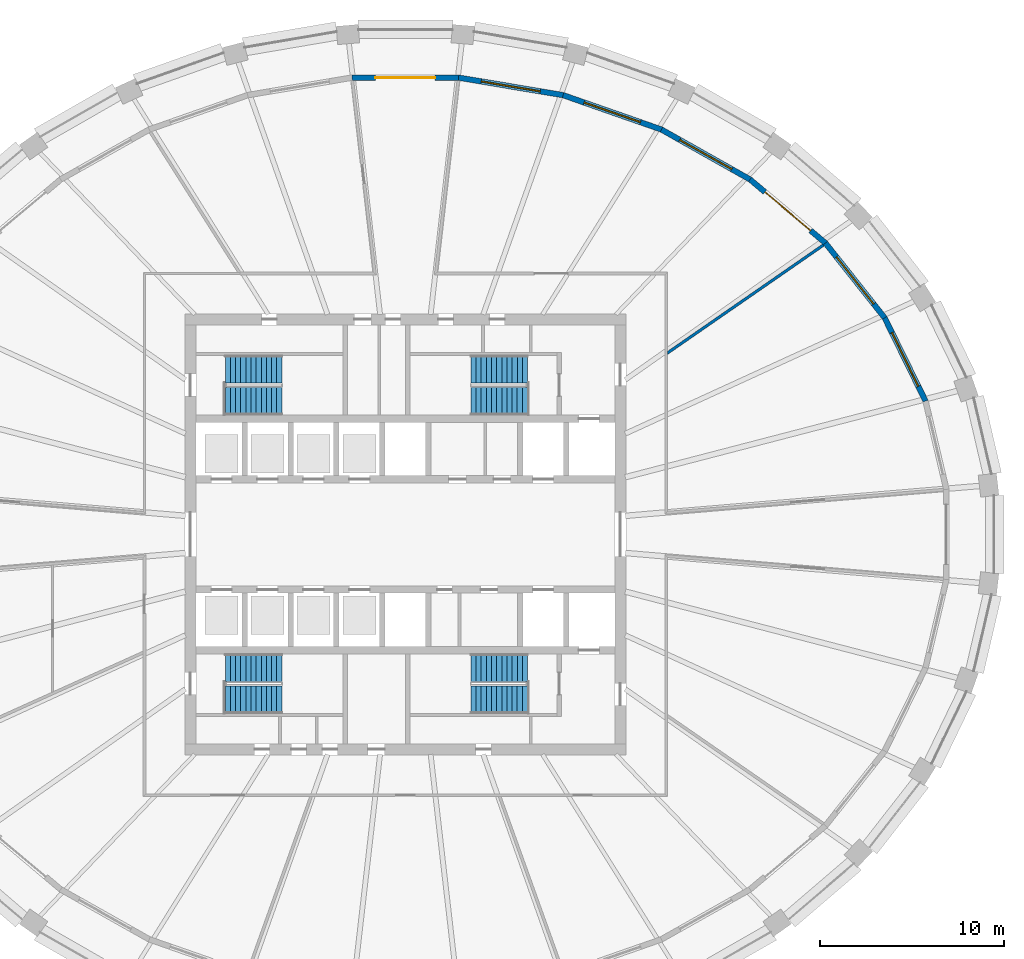
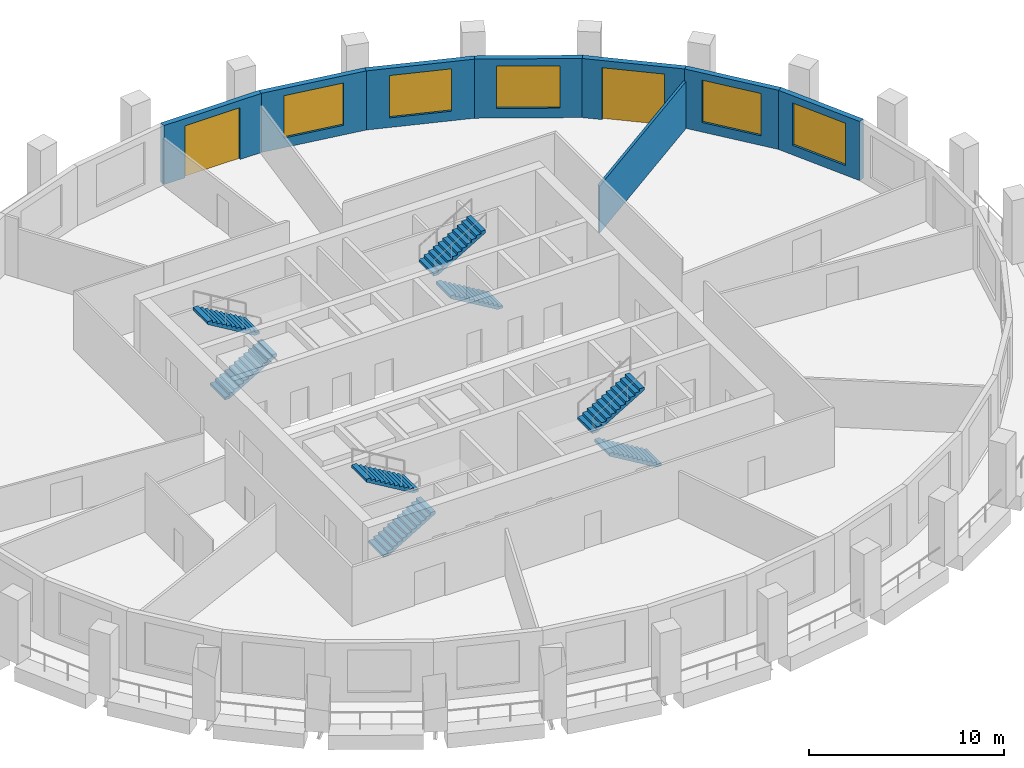
# One storey, part 7 of 10: 8 stair flights, 8 walls, 5 windows, 2 doors, 7 openings, 4 elements without a shape of their own.
"""IFC4 building model written with IfcOpenShell, lengths in metres."""

from ifc_helpers import new_model, si_unit, direction, frame, frame_2d, origin, place, context, subcontext, project, spatial, polyline, rectangle, outline, extrude, material, layer, layer_set, type_object, element, fill, aggregate, save


model = new_model("IFC4")

# Units and contexts
model_context = context("Model", 3, precision=1e-05, world=origin(), true_north=direction((0.0, 1.0)))
body_context = subcontext(model_context, "Body", "Model", "MODEL_VIEW")
ifc_project = project(units=[si_unit("LENGTHUNIT", "METRE"), si_unit("AREAUNIT", "SQUARE_METRE"), si_unit("VOLUMEUNIT", "CUBIC_METRE"), si_unit("PLANEANGLEUNIT", "RADIAN"), si_unit("MASSUNIT", "GRAM", prefix="KILO")], contexts=[model_context])

# Site, building, storey
site_placement = place(None, origin())
site = spatial("IfcSite", under=ifc_project, at=site_placement, CompositionType="ELEMENT")
building_placement = place(site_placement, origin())
building = spatial("IfcBuilding", under=site, at=building_placement, Name="Halqa Exchange Tower", CompositionType="ELEMENT")
storey_placement = place(building_placement, frame((0.0, 0.0, 210.89990234375)))
storey = spatial("IfcBuildingStorey", under=building, at=storey_placement, Name="L48", CompositionType="ELEMENT", Elevation=210.89990234375)

# Wall
ifc_material_1 = material(Name="Fire-rated gypsum board")
ifc_layer_1 = layer(ifc_material_1, 0.14990234375)
ifc_layer_set_1 = layer_set([ifc_layer_1], Name="Fire-rated gypsum board")
wall_type_1 = type_object("IfcWallType", Name="Fire partition EI 60 150", PredefinedType="PARTITIONING", material=ifc_layer_set_1)
wall_1_placement = place(storey_placement, frame((14.232421875, 9.8525390625, 0.0), z_axis=(0.0, 0.0, 1.0), x_axis=(0.822298116352, 0.569056946047, 0.0)))
element("IfcWall", 1, at=wall_1_placement, inside=storey, type_object=wall_type_1, Name="L48-PWL-020", PredefinedType="PARTITIONING", context=body_context, shape_type="SweptSolid", body=[
    extrude(outline(polyline([(10.370361328125, -0.074951171875), (10.370361328125, -0.070068359375), (10.36572265625, 0.001953125), (10.345947265625, 0.074951171875), (8.638916015625, 0.074951171875), (6.931884765625, 0.074951171875), (5.224853515625, 0.074951171875), (3.517822265625, 0.074951171875), (1.810791015625, 0.074951171875), (0.103759765625, 0.074951171875), (0.0, -0.07470703125), (0.0, -0.074951171875), (1.728515625, -0.074951171875), (3.456787109375, -0.074951171875), (5.18505859375, -0.074951171875), (6.91357421875, -0.074951171875), (8.64208984375, -0.074951171875), (10.370361328125, -0.074951171875)])), origin(), (0.0, 0.0, 1.0), 2.947021484375),
])

# Wall, opening, window
ifc_material_2 = material(Name="Limestone cladding", Category="masonry")
ifc_layer_2 = layer(ifc_material_2, 0.0400390625)
ifc_material_3 = material(Name="Ventilated cavity")
ifc_layer_3 = layer(ifc_material_3, 0.030029296875, ventilated=True)
ifc_material_4 = material(Name="Mineral wool insulation")
ifc_layer_4 = layer(ifc_material_4, 0.10009765625)
ifc_material_5 = material(Name="Concrete C30/37", Category="concrete")
ifc_layer_5 = layer(ifc_material_5, 0.10009765625)
ifc_material_6 = material(Name="Internal plaster")
ifc_layer_6 = layer(ifc_material_6, 0.030029296875)
ifc_layer_set_2 = layer_set([ifc_layer_2, ifc_layer_3, ifc_layer_4, ifc_layer_5, ifc_layer_6], Name="Stone-faced insulated wall 300")
wall_type_2 = type_object("IfcWallType", Name="Stone-faced insulated wall 300", PredefinedType="STANDARD", material=ifc_layer_set_2)
wall_2_placement = place(storey_placement, frame((28.311279296875, 7.259033203125, 0.0), z_axis=(0.0, 0.0, 1.0), x_axis=(-0.440773193145, 0.89761851151, 0.0)))
wall_2 = element("IfcWall", 2, at=wall_2_placement, inside=storey, type_object=wall_type_2, Name="Glass-line wall 2", PredefinedType="STANDARD", context=body_context, shape_type="SweptSolid", body=[
    extrude(outline(polyline([(-0.016845703125, -0.14990234375), (5.059326171875, -0.14990234375), (5.027099609375, 0.14990234375), (0.016845703125, 0.14990234375), (-0.016845703125, -0.14990234375)])), origin(), (0.0, 0.0, 1.0), 3.7001953125),
])
opening_1_placement = place(wall_2_placement, frame((0.896484375, 0.0, 0.60009765625)))
opening_1 = element("IfcOpeningElement", 3, at=opening_1_placement, cuts=wall_2, Name="Opening W-F3-02", PredefinedType="OPENING", context=body_context, shape_type="SweptSolid", body=[
    extrude(rectangle(XDim=3.25, YDim=2.64990234375, at=frame_2d((1.625, 1.324951171875))), frame((0.0, 0.162109375, 0.0), z_axis=(0.0, -1.0, 0.0), x_axis=(1.0, 0.0, 0.0)), (0.0, 0.0, 1.0), 0.323974609375),
])
ifc_material_7 = material(Name="Clear low-emissivity glass in aluminium frame", Category="aluminium")
window_type = type_object("IfcWindowType", Name="Fixed clear glazed window 3250 x 2650", PartitioningType="TRIPLE_PANEL_VERTICAL", PredefinedType="WINDOW", material=ifc_material_7)
window_1_placement = place(opening_1_placement, origin())
window_1 = element("IfcWindow", 4, at=window_1_placement, inside=storey, type_object=window_type, Name="Window 3", OverallHeight=2.64990234375, OverallWidth=3.25, PartitioningType="TRIPLE_PANEL_VERTICAL", PredefinedType="WINDOW", context=body_context, shape_type="SweptSolid", body=[
    extrude(rectangle(XDim=3.25, YDim=2.64990234375, at=frame_2d((1.625, 1.324951171875))), frame((0.0, 0.030029296875, 0.0), z_axis=(0.0, -1.0, 0.0), x_axis=(1.0, 0.0, 0.0)), (0.0, 0.0, 1.0), 0.06005859375),
])
fill(opening_1, window_1)

wall_3_placement = place(storey_placement, frame((26.08837890625, 11.785888671875, 0.0), z_axis=(0.0, 0.0, 1.0), x_axis=(-0.620870264345, 0.783913333763, 0.0)))
wall_3 = element("IfcWall", 5, at=wall_3_placement, inside=storey, type_object=wall_type_2, Name="Glass-line wall 3", PredefinedType="STANDARD", context=body_context, shape_type="SweptSolid", body=[
    extrude(outline(polyline([(-0.01611328125, -0.14990234375), (5.209716796875, -0.14990234375), (5.179443359375, 0.14990234375), (0.01611328125, 0.14990234375), (-0.01611328125, -0.14990234375)])), origin(), (0.0, 0.0, 1.0), 3.7001953125),
])
opening_2_placement = place(wall_3_placement, frame((0.97216796875, 0.0, 0.60009765625)))
opening_2 = element("IfcOpeningElement", 6, at=opening_2_placement, cuts=wall_3, Name="Opening W-F3-03", PredefinedType="OPENING", context=body_context, shape_type="SweptSolid", body=[
    extrude(rectangle(XDim=3.25, YDim=2.64990234375, at=frame_2d((1.625, 1.324951171875))), frame((0.0, 0.162109375, 0.0), z_axis=(0.0, -1.0, 0.0), x_axis=(1.0, 0.0, 0.0)), (0.0, 0.0, 1.0), 0.323974609375),
])
window_2_placement = place(opening_2_placement, origin())
window_2 = element("IfcWindow", 7, at=window_2_placement, inside=storey, type_object=window_type, Name="Window 3", OverallHeight=2.64990234375, OverallWidth=3.25, PartitioningType="TRIPLE_PANEL_VERTICAL", PredefinedType="WINDOW", context=body_context, shape_type="SweptSolid", body=[
    extrude(rectangle(XDim=3.25, YDim=2.64990234375, at=frame_2d((1.625, 1.324951171875))), frame((0.0, 0.030029296875, 0.0), z_axis=(0.0, -1.0, 0.0), x_axis=(1.0, 0.0, 0.0)), (0.0, 0.0, 1.0), 0.06005859375),
])
fill(opening_2, window_2)

# Wall, opening, door
wall_4_placement = place(storey_placement, frame((22.86328125, 15.85791015625, 0.0), z_axis=(0.0, 0.0, 1.0), x_axis=(-0.764386053229, 0.6447588399, 0.0)))
wall_4 = element("IfcWall", 8, at=wall_4_placement, inside=storey, type_object=wall_type_2, Name="Glass-line wall 4", PredefinedType="STANDARD", context=body_context, shape_type="SweptSolid", body=[
    extrude(outline(polyline([(-0.01513671875, -0.14990234375), (5.381591796875, -0.14990234375), (5.353271484375, 0.14990234375), (0.01513671875, 0.14990234375), (-0.01513671875, -0.14990234375)])), origin(), (0.0, 0.0, 1.0), 3.7001953125),
])
opening_3_placement = place(wall_4_placement, frame((1.058837890625, 0.0, 0.0)))
opening_3 = element("IfcOpeningElement", 9, at=opening_3_placement, cuts=wall_4, Name="Opening LG-F3-01", PredefinedType="OPENING", context=body_context, shape_type="SweptSolid", body=[
    extrude(rectangle(XDim=3.25, YDim=3.25, at=frame_2d((1.625, 1.625))), frame((0.0, 0.162109375, 0.0), z_axis=(0.0, -1.0, 0.0), x_axis=(1.0, 0.0, 0.0)), (0.0, 0.0, 1.0), 0.323974609375),
])
door_type = type_object("IfcDoorType", Name="Glazed sliding loggia door 3250 x 3250", OperationType="DOUBLE_DOOR_SLIDING", PredefinedType="DOOR", material=ifc_material_7)
door_1_placement = place(opening_3_placement, origin())
door_1 = element("IfcDoor", 10, at=door_1_placement, inside=storey, type_object=door_type, Name="Loggia door 1", OperationType="DOUBLE_DOOR_SLIDING", OverallHeight=3.25, OverallWidth=3.25, PredefinedType="DOOR", context=body_context, shape_type="SweptSolid", body=[
    extrude(rectangle(XDim=3.25, YDim=3.25, at=frame_2d((1.625, 1.625))), frame((0.0, 0.02490234375, 0.0), z_axis=(0.0, -1.0, 0.0), x_axis=(1.0, 0.0, 0.0)), (0.0, 0.0, 1.0), 0.050048828125),
])
fill(opening_3, door_1)

# Wall, opening, window
wall_5_placement = place(storey_placement, frame((18.760498046875, 19.318603515625, 0.0), z_axis=(0.0, 0.0, 1.0), x_axis=(-0.871140546168, 0.491033755278, 0.0)))
wall_5 = element("IfcWall", 11, at=wall_5_placement, inside=storey, type_object=wall_type_2, Name="Glass-line wall 5", PredefinedType="STANDARD", context=body_context, shape_type="SweptSolid", body=[
    extrude(outline(polyline([(-0.01416015625, -0.14990234375), (5.548828125, -0.14990234375), (5.52197265625, 0.14990234375), (0.01416015625, 0.14990234375), (-0.01416015625, -0.14990234375)])), origin(), (0.0, 0.0, 1.0), 3.7001953125),
])
opening_4_placement = place(wall_5_placement, frame((1.142578125, 0.0, 0.60009765625)))
opening_4 = element("IfcOpeningElement", 12, at=opening_4_placement, cuts=wall_5, Name="Opening W-F3-05", PredefinedType="OPENING", context=body_context, shape_type="SweptSolid", body=[
    extrude(rectangle(XDim=3.25, YDim=2.64990234375, at=frame_2d((1.625, 1.324951171875))), frame((0.0, 0.162109375, 0.0), z_axis=(0.0, -1.0, 0.0), x_axis=(1.0, 0.0, 0.0)), (0.0, 0.0, 1.0), 0.323974609375),
])
window_3_placement = place(opening_4_placement, origin())
window_3 = element("IfcWindow", 13, at=window_3_placement, inside=storey, type_object=window_type, Name="Window 3", OverallHeight=2.64990234375, OverallWidth=3.25, PartitioningType="TRIPLE_PANEL_VERTICAL", PredefinedType="WINDOW", context=body_context, shape_type="SweptSolid", body=[
    extrude(rectangle(XDim=3.25, YDim=2.64990234375, at=frame_2d((1.625, 1.324951171875))), frame((0.0, 0.030029296875, 0.0), z_axis=(0.0, -1.0, 0.0), x_axis=(1.0, 0.0, 0.0)), (0.0, 0.0, 1.0), 0.06005859375),
])
fill(opening_4, window_3)

wall_6_placement = place(storey_placement, frame((13.9384765625, 22.03662109375, 0.0), z_axis=(0.0, 0.0, 1.0), x_axis=(-0.944023272224, 0.329878858824, 0.0)))
wall_6 = element("IfcWall", 14, at=wall_6_placement, inside=storey, type_object=wall_type_2, Name="Glass-line wall 6", PredefinedType="STANDARD", context=body_context, shape_type="SweptSolid", body=[
    extrude(outline(polyline([(-0.013427734375, -0.14990234375), (5.686279296875, -0.14990234375), (5.660888671875, 0.14990234375), (0.013427734375, 0.14990234375), (-0.013427734375, -0.14990234375)])), origin(), (0.0, 0.0, 1.0), 3.7001953125),
])
opening_5_placement = place(wall_6_placement, frame((1.2119140625, 0.0, 0.60009765625)))
opening_5 = element("IfcOpeningElement", 15, at=opening_5_placement, cuts=wall_6, Name="Opening W-F3-06", PredefinedType="OPENING", context=body_context, shape_type="SweptSolid", body=[
    extrude(rectangle(XDim=3.25, YDim=2.64990234375, at=frame_2d((1.625, 1.324951171875))), frame((0.0, 0.162109375, 0.0), z_axis=(0.0, -1.0, 0.0), x_axis=(1.0, 0.0, 0.0)), (0.0, 0.0, 1.0), 0.323974609375),
])
window_4_placement = place(opening_5_placement, origin())
window_4 = element("IfcWindow", 16, at=window_4_placement, inside=storey, type_object=window_type, Name="Window 3", OverallHeight=2.64990234375, OverallWidth=3.25, PartitioningType="TRIPLE_PANEL_VERTICAL", PredefinedType="WINDOW", context=body_context, shape_type="SweptSolid", body=[
    extrude(rectangle(XDim=3.25, YDim=2.64990234375, at=frame_2d((1.625, 1.324951171875))), frame((0.0, 0.030029296875, 0.0), z_axis=(0.0, -1.0, 0.0), x_axis=(1.0, 0.0, 0.0)), (0.0, 0.0, 1.0), 0.06005859375),
])
fill(opening_5, window_4)

wall_7_placement = place(storey_placement, frame((8.58251953125, 23.908203125, 0.0), z_axis=(0.0, 0.0, 1.0), x_axis=(-0.98622052717, 0.165436005116, 0.0)))
wall_7 = element("IfcWall", 17, at=wall_7_placement, inside=storey, type_object=wall_type_2, Name="Glass-line wall 7", PredefinedType="STANDARD", context=body_context, shape_type="SweptSolid", body=[
    extrude(outline(polyline([(-0.0126953125, -0.14990234375), (5.776611328125, -0.14990234375), (5.751708984375, 0.14990234375), (0.0126953125, 0.14990234375), (-0.0126953125, -0.14990234375)])), origin(), (0.0, 0.0, 1.0), 3.7001953125),
])
opening_6_placement = place(wall_7_placement, frame((1.257080078125, 0.0, 0.60009765625)))
opening_6 = element("IfcOpeningElement", 18, at=opening_6_placement, cuts=wall_7, Name="Opening W-F3-07", PredefinedType="OPENING", context=body_context, shape_type="SweptSolid", body=[
    extrude(rectangle(XDim=3.25, YDim=2.64990234375, at=frame_2d((1.625, 1.324951171875))), frame((0.0, 0.162109375, 0.0), z_axis=(0.0, -1.0, 0.0), x_axis=(1.0, 0.0, 0.0)), (0.0, 0.0, 1.0), 0.323974609375),
])
window_5_placement = place(opening_6_placement, origin())
window_5 = element("IfcWindow", 19, at=window_5_placement, inside=storey, type_object=window_type, Name="Window 3", OverallHeight=2.64990234375, OverallWidth=3.25, PartitioningType="TRIPLE_PANEL_VERTICAL", PredefinedType="WINDOW", context=body_context, shape_type="SweptSolid", body=[
    extrude(rectangle(XDim=3.25, YDim=2.64990234375, at=frame_2d((1.625, 1.324951171875))), frame((0.0, 0.030029296875, 0.0), z_axis=(0.0, -1.0, 0.0), x_axis=(1.0, 0.0, 0.0)), (0.0, 0.0, 1.0), 0.06005859375),
])
fill(opening_6, window_5)

# Wall, opening, door
wall_8_placement = place(storey_placement, frame((2.897705078125, 24.86181640625, 0.0), z_axis=(0.0, 0.0, 1.0), x_axis=(-1.0, 0.0, 0.0)))
wall_8 = element("IfcWall", 20, at=wall_8_placement, inside=storey, type_object=wall_type_2, Name="Glass-line wall 8", PredefinedType="STANDARD", context=body_context, shape_type="SweptSolid", body=[
    extrude(outline(polyline([(-0.012451171875, -0.14990234375), (5.807861328125, -0.14990234375), (5.782958984375, 0.14990234375), (0.012451171875, 0.14990234375), (-0.012451171875, -0.14990234375)])), origin(), (0.0, 0.0, 1.0), 3.7001953125),
])
opening_7_placement = place(wall_8_placement, frame((1.272705078125, 0.0, 0.0)))
opening_7 = element("IfcOpeningElement", 21, at=opening_7_placement, cuts=wall_8, Name="Opening LG-F3-02", PredefinedType="OPENING", context=body_context, shape_type="SweptSolid", body=[
    extrude(rectangle(XDim=3.25, YDim=3.25, at=frame_2d((1.625, 1.625))), frame((0.0, 0.162109375, 0.0), z_axis=(0.0, -1.0, 0.0), x_axis=(1.0, 0.0, 0.0)), (0.0, 0.0, 1.0), 0.323974609375),
])
door_2_placement = place(opening_7_placement, origin())
door_2 = element("IfcDoor", 22, at=door_2_placement, inside=storey, type_object=door_type, Name="Loggia door 2", OperationType="DOUBLE_DOOR_SLIDING", OverallHeight=3.25, OverallWidth=3.25, PredefinedType="DOOR", context=body_context, shape_type="SweptSolid", body=[
    extrude(rectangle(XDim=3.25, YDim=3.25, at=frame_2d((1.625, 1.625))), frame((0.0, 0.02490234375, 0.0), z_axis=(0.0, -1.0, 0.0), x_axis=(1.0, 0.0, 0.0)), (0.0, 0.0, 1.0), 0.050048828125),
])
fill(opening_7, door_2)

# Stair, stair flights
stair_type = type_object("IfcStairType", Name="Exit stair 1500 wide", PredefinedType="HALF_TURN_STAIR", material=ifc_material_5)
stair_1_placement = place(storey_placement, origin())
stair_1 = element("IfcStair", 23, at=stair_1_placement, inside=storey, type_object=stair_type, Name="Exit stair ST1", PredefinedType="HALF_TURN_STAIR")
stair_flight_type = type_object("IfcStairFlightType", Name="Stair flight 1500 wide", PredefinedType="STRAIGHT", material=ifc_material_5)
stair_flight_1_placement = place(storey_placement, frame((-9.800048828125, 7.25, 0.0), z_axis=(0.0, 0.0, 1.0), x_axis=(1.0, 0.0, 0.0)))
stair_flight_1 = element("IfcStairFlight", 24, at=stair_flight_1_placement, type_object=stair_flight_type, Name="ST1 flight 1", NumberOfRisers=12, NumberOfTreads=11, PredefinedType="STRAIGHT", RiserHeight=0.166666667, TreadLength=0.28, context=body_context, shape_type="SweptSolid", body=[
    extrude(outline(polyline([(0.0, 0.0), (0.0, 0.166748046875), (0.280029296875, 0.166748046875), (0.280029296875, 0.333251953125), (0.56005859375, 0.333251953125), (0.56005859375, 0.5), (0.840087890625, 0.5), (0.840087890625, 0.666748046875), (1.1201171875, 0.666748046875), (1.1201171875, 0.833251953125), (1.39990234375, 0.833251953125), (1.39990234375, 1.0), (1.679931640625, 1.0), (1.679931640625, 1.166748046875), (1.9599609375, 1.166748046875), (1.9599609375, 1.333251953125), (2.239990234375, 1.333251953125), (2.239990234375, 1.5), (2.52001953125, 1.5), (2.52001953125, 1.666748046875), (2.800048828125, 1.666748046875), (2.800048828125, 1.833251953125), (3.080078125, 1.833251953125), (3.080078125, 2.0), (3.080078125, 1.658935546875), (0.29296875, 0.0), (0.0, 0.0)])), frame((0.0, 0.75, 0.0), z_axis=(0.0, -1.0, 0.0), x_axis=(1.0, 0.0, 0.0)), (0.0, 0.0, 1.0), 1.5),
])
stair_flight_2_placement = place(storey_placement, frame((-6.719970703125, 9.0, 2.0), z_axis=(0.0, 0.0, 1.0), x_axis=(-1.0, 0.0, 0.0)))
stair_flight_2 = element("IfcStairFlight", 25, at=stair_flight_2_placement, type_object=stair_flight_type, Name="ST1 flight 2", NumberOfRisers=12, NumberOfTreads=11, PredefinedType="STRAIGHT", RiserHeight=0.166666667, TreadLength=0.28, context=body_context, shape_type="SweptSolid", body=[
    extrude(outline(polyline([(0.0, 0.0), (0.0, 0.166748046875), (0.280029296875, 0.166748046875), (0.280029296875, 0.333251953125), (0.56005859375, 0.333251953125), (0.56005859375, 0.5), (0.840087890625, 0.5), (0.840087890625, 0.666748046875), (1.1201171875, 0.666748046875), (1.1201171875, 0.833251953125), (1.39990234375, 0.833251953125), (1.39990234375, 1.0), (1.679931640625, 1.0), (1.679931640625, 1.166748046875), (1.9599609375, 1.166748046875), (1.9599609375, 1.333251953125), (2.239990234375, 1.333251953125), (2.239990234375, 1.5), (2.52001953125, 1.5), (2.52001953125, 1.666748046875), (2.800048828125, 1.666748046875), (2.800048828125, 1.833251953125), (3.080078125, 1.833251953125), (3.080078125, 2.0), (3.080078125, 1.658935546875), (0.29296875, 0.0), (0.0, 0.0)])), frame((0.0, 0.75, 0.0), z_axis=(0.0, -1.0, 0.0), x_axis=(1.0, 0.0, 0.0)), (0.0, 0.0, 1.0), 1.5),
])
aggregate(stair_1, [stair_flight_1, stair_flight_2])

stair_2_placement = place(storey_placement, origin())
stair_2 = element("IfcStair", 26, at=stair_2_placement, inside=storey, type_object=stair_type, Name="Exit stair ST2", PredefinedType="HALF_TURN_STAIR")
stair_flight_3_placement = place(storey_placement, frame((6.64990234375, 7.25, 0.0), z_axis=(0.0, 0.0, 1.0), x_axis=(-1.0, 0.0, 0.0)))
stair_flight_3 = element("IfcStairFlight", 27, at=stair_flight_3_placement, type_object=stair_flight_type, Name="ST2 flight 1", NumberOfRisers=12, NumberOfTreads=11, PredefinedType="STRAIGHT", RiserHeight=0.166666667, TreadLength=0.28, context=body_context, shape_type="SweptSolid", body=[
    extrude(outline(polyline([(0.0, 0.0), (0.0, 0.166748046875), (0.280029296875, 0.166748046875), (0.280029296875, 0.333251953125), (0.56005859375, 0.333251953125), (0.56005859375, 0.5), (0.840087890625, 0.5), (0.840087890625, 0.666748046875), (1.1201171875, 0.666748046875), (1.1201171875, 0.833251953125), (1.39990234375, 0.833251953125), (1.39990234375, 1.0), (1.679931640625, 1.0), (1.679931640625, 1.166748046875), (1.9599609375, 1.166748046875), (1.9599609375, 1.333251953125), (2.239990234375, 1.333251953125), (2.239990234375, 1.5), (2.52001953125, 1.5), (2.52001953125, 1.666748046875), (2.800048828125, 1.666748046875), (2.800048828125, 1.833251953125), (3.080078125, 1.833251953125), (3.080078125, 2.0), (3.080078125, 1.658935546875), (0.29296875, 0.0), (0.0, 0.0)])), frame((0.0, 0.75, 0.0), z_axis=(0.0, -1.0, 0.0), x_axis=(1.0, 0.0, 0.0)), (0.0, 0.0, 1.0), 1.5),
])
stair_flight_4_placement = place(storey_placement, frame((3.570068359375, 9.0, 2.0), z_axis=(0.0, 0.0, 1.0), x_axis=(1.0, 0.0, 0.0)))
stair_flight_4 = element("IfcStairFlight", 28, at=stair_flight_4_placement, type_object=stair_flight_type, Name="ST2 flight 2", NumberOfRisers=12, NumberOfTreads=11, PredefinedType="STRAIGHT", RiserHeight=0.166666667, TreadLength=0.28, context=body_context, shape_type="SweptSolid", body=[
    extrude(outline(polyline([(0.0, 0.0), (0.0, 0.166748046875), (0.280029296875, 0.166748046875), (0.280029296875, 0.333251953125), (0.56005859375, 0.333251953125), (0.56005859375, 0.5), (0.840087890625, 0.5), (0.840087890625, 0.666748046875), (1.1201171875, 0.666748046875), (1.1201171875, 0.833251953125), (1.39990234375, 0.833251953125), (1.39990234375, 1.0), (1.679931640625, 1.0), (1.679931640625, 1.166748046875), (1.9599609375, 1.166748046875), (1.9599609375, 1.333251953125), (2.239990234375, 1.333251953125), (2.239990234375, 1.5), (2.52001953125, 1.5), (2.52001953125, 1.666748046875), (2.800048828125, 1.666748046875), (2.800048828125, 1.833251953125), (3.080078125, 1.833251953125), (3.080078125, 2.0), (3.080078125, 1.658935546875), (0.29296875, 0.0), (0.0, 0.0)])), frame((0.0, 0.75, 0.0), z_axis=(0.0, -1.0, 0.0), x_axis=(1.0, 0.0, 0.0)), (0.0, 0.0, 1.0), 1.5),
])
aggregate(stair_2, [stair_flight_3, stair_flight_4])

stair_3_placement = place(storey_placement, origin())
stair_3 = element("IfcStair", 29, at=stair_3_placement, inside=storey, type_object=stair_type, Name="Exit stair ST3", PredefinedType="HALF_TURN_STAIR")
stair_flight_5_placement = place(storey_placement, frame((-9.800048828125, -9.0, 0.0), z_axis=(0.0, 0.0, 1.0), x_axis=(1.0, 0.0, 0.0)))
stair_flight_5 = element("IfcStairFlight", 30, at=stair_flight_5_placement, type_object=stair_flight_type, Name="ST3 flight 1", NumberOfRisers=12, NumberOfTreads=11, PredefinedType="STRAIGHT", RiserHeight=0.166666667, TreadLength=0.28, context=body_context, shape_type="SweptSolid", body=[
    extrude(outline(polyline([(0.0, 0.0), (0.0, 0.166748046875), (0.280029296875, 0.166748046875), (0.280029296875, 0.333251953125), (0.56005859375, 0.333251953125), (0.56005859375, 0.5), (0.840087890625, 0.5), (0.840087890625, 0.666748046875), (1.1201171875, 0.666748046875), (1.1201171875, 0.833251953125), (1.39990234375, 0.833251953125), (1.39990234375, 1.0), (1.679931640625, 1.0), (1.679931640625, 1.166748046875), (1.9599609375, 1.166748046875), (1.9599609375, 1.333251953125), (2.239990234375, 1.333251953125), (2.239990234375, 1.5), (2.52001953125, 1.5), (2.52001953125, 1.666748046875), (2.800048828125, 1.666748046875), (2.800048828125, 1.833251953125), (3.080078125, 1.833251953125), (3.080078125, 2.0), (3.080078125, 1.658935546875), (0.29296875, 0.0), (0.0, 0.0)])), frame((0.0, 0.75, 0.0), z_axis=(0.0, -1.0, 0.0), x_axis=(1.0, 0.0, 0.0)), (0.0, 0.0, 1.0), 1.5),
])
stair_flight_6_placement = place(storey_placement, frame((-6.719970703125, -7.25, 2.0), z_axis=(0.0, 0.0, 1.0), x_axis=(-1.0, 0.0, 0.0)))
stair_flight_6 = element("IfcStairFlight", 31, at=stair_flight_6_placement, type_object=stair_flight_type, Name="ST3 flight 2", NumberOfRisers=12, NumberOfTreads=11, PredefinedType="STRAIGHT", RiserHeight=0.166666667, TreadLength=0.28, context=body_context, shape_type="SweptSolid", body=[
    extrude(outline(polyline([(0.0, 0.0), (0.0, 0.166748046875), (0.280029296875, 0.166748046875), (0.280029296875, 0.333251953125), (0.56005859375, 0.333251953125), (0.56005859375, 0.5), (0.840087890625, 0.5), (0.840087890625, 0.666748046875), (1.1201171875, 0.666748046875), (1.1201171875, 0.833251953125), (1.39990234375, 0.833251953125), (1.39990234375, 1.0), (1.679931640625, 1.0), (1.679931640625, 1.166748046875), (1.9599609375, 1.166748046875), (1.9599609375, 1.333251953125), (2.239990234375, 1.333251953125), (2.239990234375, 1.5), (2.52001953125, 1.5), (2.52001953125, 1.666748046875), (2.800048828125, 1.666748046875), (2.800048828125, 1.833251953125), (3.080078125, 1.833251953125), (3.080078125, 2.0), (3.080078125, 1.658935546875), (0.29296875, 0.0), (0.0, 0.0)])), frame((0.0, 0.75, 0.0), z_axis=(0.0, -1.0, 0.0), x_axis=(1.0, 0.0, 0.0)), (0.0, 0.0, 1.0), 1.5),
])
aggregate(stair_3, [stair_flight_5, stair_flight_6])

stair_4_placement = place(storey_placement, origin())
stair_4 = element("IfcStair", 32, at=stair_4_placement, inside=storey, type_object=stair_type, Name="Exit stair ST4", PredefinedType="HALF_TURN_STAIR")
stair_flight_7_placement = place(storey_placement, frame((6.64990234375, -9.0, 0.0), z_axis=(0.0, 0.0, 1.0), x_axis=(-1.0, 0.0, 0.0)))
stair_flight_7 = element("IfcStairFlight", 33, at=stair_flight_7_placement, type_object=stair_flight_type, Name="ST4 flight 1", NumberOfRisers=12, NumberOfTreads=11, PredefinedType="STRAIGHT", RiserHeight=0.166666667, TreadLength=0.28, context=body_context, shape_type="SweptSolid", body=[
    extrude(outline(polyline([(0.0, 0.0), (0.0, 0.166748046875), (0.280029296875, 0.166748046875), (0.280029296875, 0.333251953125), (0.56005859375, 0.333251953125), (0.56005859375, 0.5), (0.840087890625, 0.5), (0.840087890625, 0.666748046875), (1.1201171875, 0.666748046875), (1.1201171875, 0.833251953125), (1.39990234375, 0.833251953125), (1.39990234375, 1.0), (1.679931640625, 1.0), (1.679931640625, 1.166748046875), (1.9599609375, 1.166748046875), (1.9599609375, 1.333251953125), (2.239990234375, 1.333251953125), (2.239990234375, 1.5), (2.52001953125, 1.5), (2.52001953125, 1.666748046875), (2.800048828125, 1.666748046875), (2.800048828125, 1.833251953125), (3.080078125, 1.833251953125), (3.080078125, 2.0), (3.080078125, 1.658935546875), (0.29296875, 0.0), (0.0, 0.0)])), frame((0.0, 0.75, 0.0), z_axis=(0.0, -1.0, 0.0), x_axis=(1.0, 0.0, 0.0)), (0.0, 0.0, 1.0), 1.5),
])
stair_flight_8_placement = place(storey_placement, frame((3.570068359375, -7.25, 2.0), z_axis=(0.0, 0.0, 1.0), x_axis=(1.0, 0.0, 0.0)))
stair_flight_8 = element("IfcStairFlight", 34, at=stair_flight_8_placement, type_object=stair_flight_type, Name="ST4 flight 2", NumberOfRisers=12, NumberOfTreads=11, PredefinedType="STRAIGHT", RiserHeight=0.166666667, TreadLength=0.28, context=body_context, shape_type="SweptSolid", body=[
    extrude(outline(polyline([(0.0, 0.0), (0.0, 0.166748046875), (0.280029296875, 0.166748046875), (0.280029296875, 0.333251953125), (0.56005859375, 0.333251953125), (0.56005859375, 0.5), (0.840087890625, 0.5), (0.840087890625, 0.666748046875), (1.1201171875, 0.666748046875), (1.1201171875, 0.833251953125), (1.39990234375, 0.833251953125), (1.39990234375, 1.0), (1.679931640625, 1.0), (1.679931640625, 1.166748046875), (1.9599609375, 1.166748046875), (1.9599609375, 1.333251953125), (2.239990234375, 1.333251953125), (2.239990234375, 1.5), (2.52001953125, 1.5), (2.52001953125, 1.666748046875), (2.800048828125, 1.666748046875), (2.800048828125, 1.833251953125), (3.080078125, 1.833251953125), (3.080078125, 2.0), (3.080078125, 1.658935546875), (0.29296875, 0.0), (0.0, 0.0)])), frame((0.0, 0.75, 0.0), z_axis=(0.0, -1.0, 0.0), x_axis=(1.0, 0.0, 0.0)), (0.0, 0.0, 1.0), 1.5),
])
aggregate(stair_4, [stair_flight_7, stair_flight_8])

save(model, "model.ifc")
